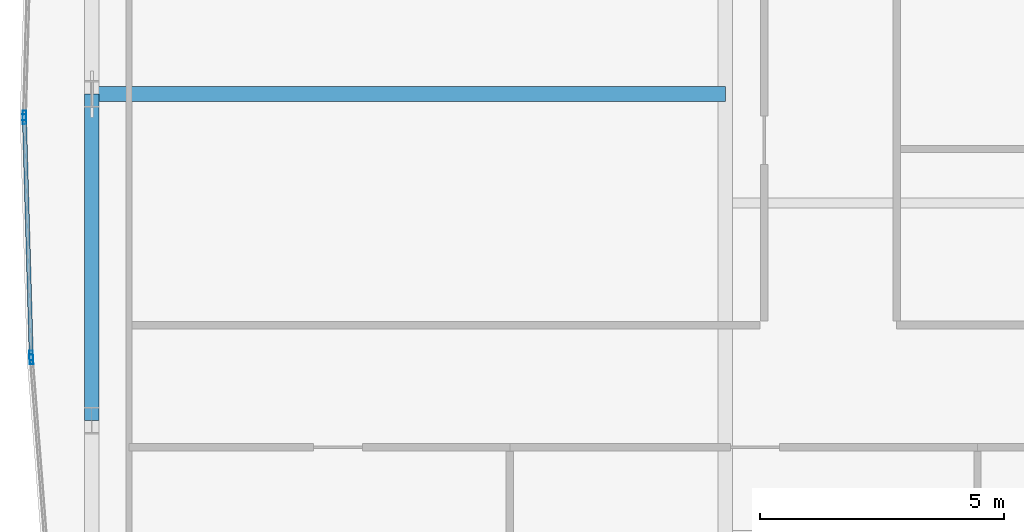
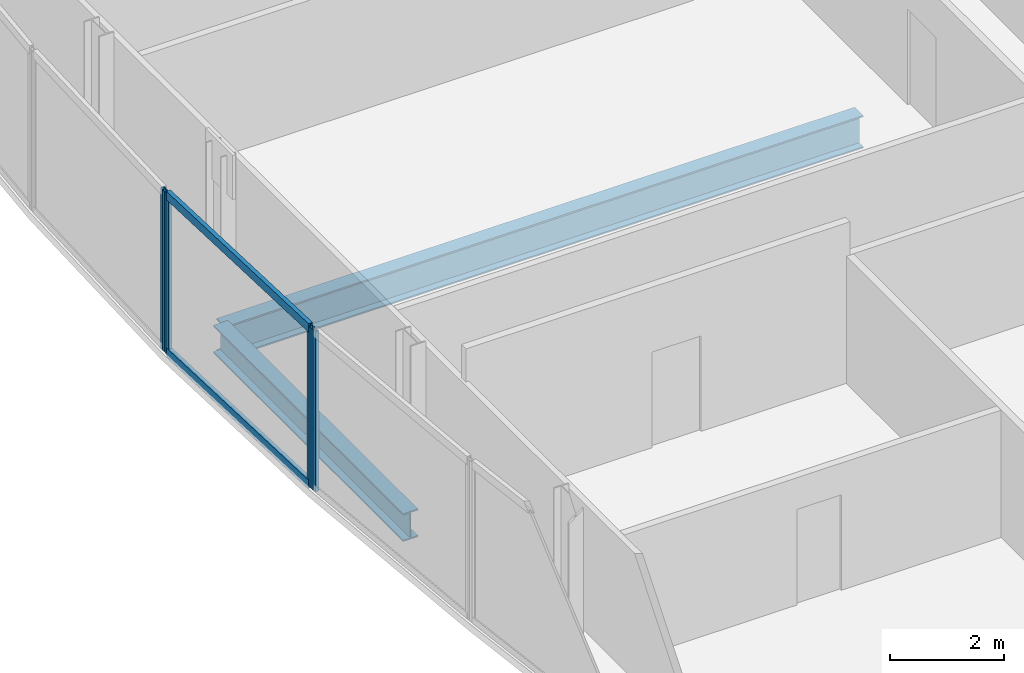
# One storey, part 10 of 29: 6 members, 2 beams, 3 elements without a shape of their own.
"""IFC4 building model written with IfcOpenShell, lengths in metres."""

from ifc_helpers import new_model, si_unit, direction, frame, origin, origin_2d, place, context, subcontext, project, spatial, hollow_rectangle, i_section, extrude, material, material_profile, profile_set, type_object, element, aggregate, save


model = new_model("IFC4")

# Units and contexts
model_context = context("Model", 3, precision=1e-05, world=origin(), true_north=direction((0.0, 1.0)))
body_context = subcontext(model_context, "Body", "Model", "MODEL_VIEW")
ifc_project = project(units=[si_unit("LENGTHUNIT", "METRE"), si_unit("AREAUNIT", "SQUARE_METRE"), si_unit("VOLUMEUNIT", "CUBIC_METRE"), si_unit("PLANEANGLEUNIT", "RADIAN"), si_unit("MASSUNIT", "GRAM", prefix="KILO")], contexts=[model_context])

# Site, building, storey
site_placement = place(None, origin())
site = spatial("IfcSite", under=ifc_project, at=site_placement, CompositionType="ELEMENT")
building_placement = place(site_placement, origin())
building = spatial("IfcBuilding", under=site, at=building_placement, Name="Khoronbel Lancet Exchange", CompositionType="ELEMENT")
storey_placement = place(building_placement, frame((0.0, 0.0, 143.39990234375)))
storey = spatial("IfcBuildingStorey", under=building, at=storey_placement, Name="L35", CompositionType="ELEMENT", Elevation=143.39990234375)

# Beams
ifc_material_1 = material(Name="Steel S355", Category="steel")
ifc_material_profile_1 = material_profile(ifc_material_1, i_section(OverallWidth=0.300048828125, OverallDepth=0.699951171875, WebThickness=0.01708984375, FlangeThickness=0.031982421875, at=origin_2d()), Name="HEB 700")
ifc_profile_set_1 = profile_set([ifc_material_profile_1], Name="Steel S355")
beam_type_1 = type_object("IfcBeamType", Name="BM-BG3", PredefinedType="BEAM", material=ifc_profile_set_1)
beam_1_placement = place(storey_placement, frame((5.27001953125, 31.425048828125, -0.510009765625), z_axis=(1.0, 0.0, 0.0), x_axis=(0.0, 1.0, 0.0)))
element("IfcBeam", 1, at=beam_1_placement, inside=storey, type_object=beam_type_1, Name="Level L35 west lens tie girder LG2W", PredefinedType="BEAM", context=body_context, shape_type="SweptSolid", body=[
    extrude(i_section(OverallWidth=0.300048828125, OverallDepth=0.699951171875, WebThickness=0.01708984375, FlangeThickness=0.031982421875, at=origin_2d()), origin(), (0.0, 0.0, 1.0), 12.955078125),
])
ifc_material_profile_2 = material_profile(ifc_material_1, i_section(OverallWidth=0.300048828125, OverallDepth=0.60009765625, WebThickness=0.015380859375, FlangeThickness=0.030029296875, at=origin_2d()), Name="HEB 600")
ifc_profile_set_2 = profile_set([ifc_material_profile_2], Name="Steel S355")
beam_type_2 = type_object("IfcBeamType", Name="BM-BSP2", PredefinedType="SPANDREL", material=ifc_profile_set_2)
beam_2_placement = place(storey_placement, frame((5.27001953125, 31.425048828125, -0.4599609375), z_axis=(0.0, -1.0, 0.0), x_axis=(1.0, 0.0, 0.0)))
element("IfcBeam", 2, at=beam_2_placement, inside=storey, type_object=beam_type_2, Name="Level L35 perimeter spandrel beam SP19", PredefinedType="SPANDREL", context=body_context, shape_type="SweptSolid", body=[
    extrude(i_section(OverallWidth=0.300048828125, OverallDepth=0.60009765625, WebThickness=0.015380859375, FlangeThickness=0.030029296875, at=origin_2d()), origin(), (0.0, 0.0, 1.0), 6.675048828125),
])

# Curtain wall, member
ifc_material_2 = material(Name="Low-E Solar Control Insulating Glass", Category="glass")
curtain_wall_type = type_object("IfcCurtainWallType", Name="CW-4", PredefinedType="NOTDEFINED", material=ifc_material_2)
curtain_wall_1_placement = place(storey_placement, origin())
curtain_wall_1 = element("IfcCurtainWall", 3, at=curtain_wall_1_placement, inside=storey, type_object=curtain_wall_type, Name="Unitised curtain wall CW-L35-E05", PredefinedType="NOTDEFINED")
ifc_material_3 = material(Name="Bronze-Anodised Aluminium 6063-T6", Category="aluminium")
ifc_material_profile_3 = material_profile(ifc_material_3, hollow_rectangle(XDim=0.074951171875, YDim=0.199951171875, WallThickness=0.0048828125, at=origin_2d()), Name="ALU MULLION 75x200")
ifc_profile_set_3 = profile_set([ifc_material_profile_3], Name="Bronze-Anodised Aluminium 6063-T6")
member_type_1 = type_object("IfcMemberType", Name="MEM-CWM2", PredefinedType="MULLION", material=ifc_profile_set_3)
member_1_placement = place(storey_placement, frame((4.033447265625, 26.000732421875, 0.0), z_axis=(0.0, 0.0, 1.0), x_axis=(-0.996959555693, -0.077920756627, 0.0)))
member_1 = element("IfcMember", 4, at=member_1_placement, type_object=member_type_1, Name="CW4 mullion 2", PredefinedType="MULLION", context=body_context, shape_type="SweptSolid", body=[
    extrude(hollow_rectangle(XDim=0.074951171875, YDim=0.199951171875, WallThickness=0.0048828125, at=origin_2d()), origin(), (0.0, 0.0, 1.0), 3.440185546875),
])
aggregate(curtain_wall_1, [member_1])

# Curtain wall, members
curtain_wall_2_placement = place(storey_placement, origin())
curtain_wall_2 = element("IfcCurtainWall", 5, at=curtain_wall_2_placement, inside=storey, type_object=curtain_wall_type, Name="Unitised curtain wall CW-L35-E06", PredefinedType="NOTDEFINED")
member_2_placement = place(storey_placement, frame((4.029541015625, 26.07568359375, 0.0), z_axis=(0.0, 0.0, 1.0), x_axis=(-0.999590574553, -0.028612641702, 0.0)))
member_2 = element("IfcMember", 6, at=member_2_placement, type_object=member_type_1, Name="CW4 mullion 1", PredefinedType="MULLION", context=body_context, shape_type="SweptSolid", body=[
    extrude(hollow_rectangle(XDim=0.074951171875, YDim=0.199951171875, WallThickness=0.0048828125, at=origin_2d()), origin(), (0.0, 0.0, 1.0), 3.440185546875),
])
member_3_placement = place(storey_placement, frame((3.89111328125, 30.91259765625, 0.0), z_axis=(0.0, 0.0, 1.0), x_axis=(-0.999590574553, -0.028612641702, 0.0)))
member_3 = element("IfcMember", 7, at=member_3_placement, type_object=member_type_1, Name="CW4 mullion 2", PredefinedType="MULLION", context=body_context, shape_type="SweptSolid", body=[
    extrude(hollow_rectangle(XDim=0.074951171875, YDim=0.199951171875, WallThickness=0.0048828125, at=origin_2d()), origin(), (0.0, 0.0, 1.0), 3.440185546875),
])

# Curtain wall, member
curtain_wall_3_placement = place(storey_placement, origin())
curtain_wall_3 = element("IfcCurtainWall", 8, at=curtain_wall_3_placement, inside=storey, type_object=curtain_wall_type, Name="Unitised curtain wall CW-L35-E07", PredefinedType="NOTDEFINED")
member_4_placement = place(storey_placement, frame((3.89111328125, 30.987548828125, 0.0), z_axis=(0.0, 0.0, 1.0), x_axis=(-0.999590574553, 0.028612641702, 0.0)))
member_4 = element("IfcMember", 9, at=member_4_placement, type_object=member_type_1, Name="CW4 mullion 1", PredefinedType="MULLION", context=body_context, shape_type="SweptSolid", body=[
    extrude(hollow_rectangle(XDim=0.074951171875, YDim=0.199951171875, WallThickness=0.0048828125, at=origin_2d()), origin(), (0.0, 0.0, 1.0), 3.440185546875),
])
aggregate(curtain_wall_3, [member_4])

# Member
ifc_material_profile_4 = material_profile(ifc_material_3, hollow_rectangle(XDim=0.0849609375, YDim=0.179931640625, WallThickness=0.0048828125, at=origin_2d()), Name="ALU TRANSOM 85x180")
ifc_profile_set_4 = profile_set([ifc_material_profile_4], Name="Bronze-Anodised Aluminium 6063-T6")
member_type_2 = type_object("IfcMemberType", Name="MEM-CWT1", PredefinedType="USERDEFINED", material=ifc_profile_set_4)
member_5_placement = place(storey_placement, frame((4.028564453125, 26.113037109375, 0.04248046875), z_axis=(-0.02864755561, 0.999589574554, 0.0), x_axis=(-0.999589574554, -0.02864755561, 0.0)))
member_5 = element("IfcMember", 10, at=member_5_placement, type_object=member_type_2, Name="CW4 transom 1.1", ObjectType="TRANSOM", PredefinedType="USERDEFINED", context=body_context, shape_type="SweptSolid", body=[
    extrude(hollow_rectangle(XDim=0.0849609375, YDim=0.179931640625, WallThickness=0.0048828125, at=origin_2d()), origin(), (0.0, 0.0, 1.0), 4.763916015625),
])

member_6_placement = place(storey_placement, frame((4.028564453125, 26.113037109375, 3.397705078125), z_axis=(-0.02864755561, 0.999589574554, 0.0), x_axis=(-0.999589574554, -0.02864755561, 0.0)))
member_6 = element("IfcMember", 11, at=member_6_placement, type_object=member_type_2, Name="CW4 transom 1.2", ObjectType="TRANSOM", PredefinedType="USERDEFINED", context=body_context, shape_type="SweptSolid", body=[
    extrude(hollow_rectangle(XDim=0.0849609375, YDim=0.179931640625, WallThickness=0.0048828125, at=origin_2d()), origin(), (0.0, 0.0, 1.0), 4.763916015625),
])

aggregate(curtain_wall_2, [member_2, member_3, member_5, member_6])

save(model, "model.ifc")
